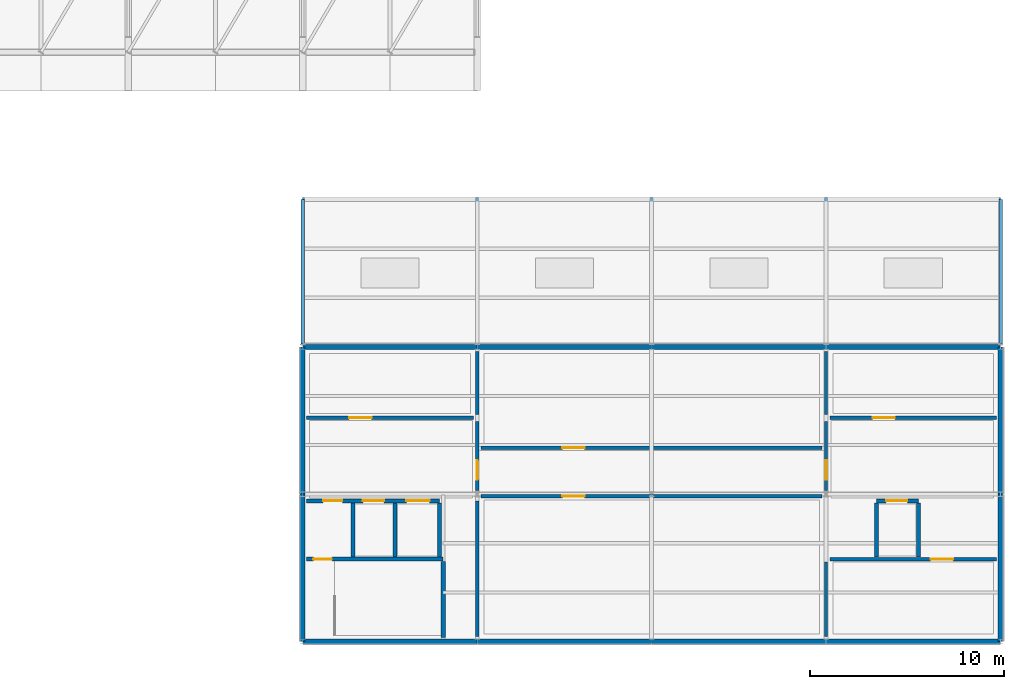
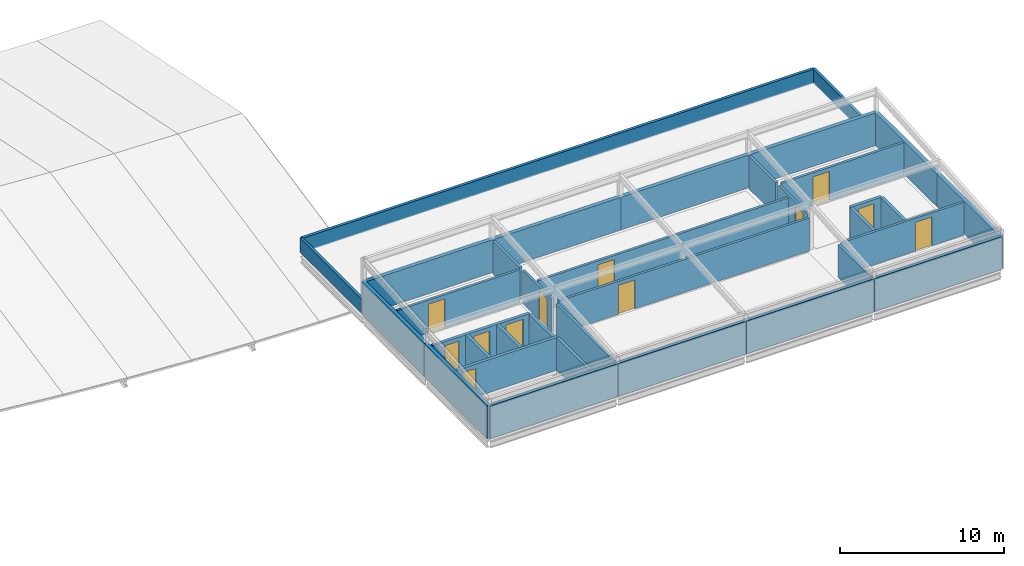
# One storey, part 20 of 21: 35 walls, 12 doors, 12 openings.
"""IFC4 building model written with IfcOpenShell, lengths in metres."""

from ifc_helpers import new_model, si_unit, direction, frame, frame_2d, origin, place, context, subcontext, project, spatial, rectangle, extrude, material, layer, layer_set, type_object, element, fill, save


model = new_model("IFC4")

# Units and contexts
model_context = context("Model", 3, precision=1e-05, world=origin(), true_north=direction((0.0, 1.0)))
body_context = subcontext(model_context, "Body", "Model", "MODEL_VIEW")
ifc_project = project(units=[si_unit("LENGTHUNIT", "METRE"), si_unit("AREAUNIT", "SQUARE_METRE"), si_unit("VOLUMEUNIT", "CUBIC_METRE"), si_unit("PLANEANGLEUNIT", "RADIAN"), si_unit("MASSUNIT", "GRAM", prefix="KILO")], contexts=[model_context])

# Site, building, storey
site_placement = place(None, origin())
site = spatial("IfcSite", under=ifc_project, at=site_placement, CompositionType="ELEMENT")
building_placement = place(site_placement, origin())
building = spatial("IfcBuilding", under=site, at=building_placement, Name="Caisbarro Railhouse Central Library", CompositionType="ELEMENT")
storey_placement = place(building_placement, frame((0.0, 0.0, 26.639892578125)))
storey = spatial("IfcBuildingStorey", under=building, at=storey_placement, Name="RF", CompositionType="ELEMENT", Elevation=26.639892578125)

# Walls
ifc_material_1 = material(Name="Concrete C35 insulated architectural precast", Category="concrete")
ifc_layer_1 = layer(ifc_material_1, 0.260009765625, Name="Concrete C35 insulated architectural precast")
ifc_layer_set_1 = layer_set([ifc_layer_1], Name="Concrete C35 insulated architectural precast")
wall_type_1 = type_object("IfcWallType", Name="WAL-EW26", PredefinedType="STANDARD", material=ifc_layer_set_1)
for number, where, z_axis, x_axis, name in (
    (1, (63.0, 0.0, 0.0), (0.0, 0.0, 1.0), (1.0, 0.0, 0.0), "EW26 exterior wall RF #262"),
    (2, (72.0, 0.0, 0.0), (0.0, 0.0, 1.0), (1.0, 0.0, 0.0), "EW26 exterior wall RF #263"),
    (3, (81.0, 0.0, 0.0), (0.0, 0.0, 1.0), (1.0, 0.0, 0.0), "EW26 exterior wall RF #264"),
    (4, (90.0, 0.0, 0.0), (0.0, 0.0, 1.0), (1.0, 0.0, 0.0), "EW26 exterior wall RF #265"),
):
    element("IfcWall", number, at=place(storey_placement, frame(where, z_axis=z_axis, x_axis=x_axis)), inside=storey, type_object=wall_type_1, Name=name, PredefinedType="STANDARD", context=body_context, shape_type="SweptSolid", body=[
        extrude(rectangle(XDim=9.0, YDim=0.260009765625, at=frame_2d((4.5, 0.0))), origin(), (0.0, 0.0, 1.0), 2.440185546875),
    ])
wall_1_placement = place(storey_placement, frame((99.0, 0.0, 0.0), z_axis=(0.0, 0.0, 1.0), x_axis=(0.0, 1.0, 0.0)))
element("IfcWall", 5, at=wall_1_placement, inside=storey, type_object=wall_type_1, Name="EW26 exterior wall RF #266", PredefinedType="STANDARD", context=body_context, shape_type="SweptSolid", body=[
    extrude(rectangle(XDim=7.60009765625, YDim=0.260009765625, at=frame_2d((3.800048828125, 0.0))), origin(), (0.0, 0.0, 1.0), 2.440185546875),
])
wall_2_placement = place(storey_placement, frame((99.0, 7.60009765625, 0.0), z_axis=(0.0, 0.0, 1.0), x_axis=(0.0, 1.0, 0.0)))
element("IfcWall", 6, at=wall_2_placement, inside=storey, type_object=wall_type_1, Name="EW26 exterior wall RF #267", PredefinedType="STANDARD", context=body_context, shape_type="SweptSolid", body=[
    extrude(rectangle(XDim=7.599853515625, YDim=0.260009765625, at=frame_2d((3.7998046875, 0.0))), origin(), (0.0, 0.0, 1.0), 2.440185546875),
])
for number, where, z_axis, x_axis, name in (
    (7, (99.0, 15.199951171875, 0.0), (0.0, 0.0, 1.0), (-1.0, 0.0, 0.0), "EW26 exterior wall RF #268"),
    (8, (90.0, 15.199951171875, 0.0), (0.0, 0.0, 1.0), (-1.0, 0.0, 0.0), "EW26 exterior wall RF #269"),
    (9, (81.0, 15.199951171875, 0.0), (0.0, 0.0, 1.0), (-1.0, 0.0, 0.0), "EW26 exterior wall RF #270"),
    (10, (72.0, 15.199951171875, 0.0), (0.0, 0.0, 1.0), (-1.0, 0.0, 0.0), "EW26 exterior wall RF #271"),
):
    element("IfcWall", number, at=place(storey_placement, frame(where, z_axis=z_axis, x_axis=x_axis)), inside=storey, type_object=wall_type_1, Name=name, PredefinedType="STANDARD", context=body_context, shape_type="SweptSolid", body=[
        extrude(rectangle(XDim=9.0, YDim=0.260009765625, at=frame_2d((4.5, 0.0))), origin(), (0.0, 0.0, 1.0), 2.440185546875),
    ])
wall_3_placement = place(storey_placement, frame((63.0, 15.199951171875, 0.0), z_axis=(0.0, 0.0, 1.0), x_axis=(0.0, -1.0, 0.0)))
element("IfcWall", 11, at=wall_3_placement, inside=storey, type_object=wall_type_1, Name="EW26 exterior wall RF #272", PredefinedType="STANDARD", context=body_context, shape_type="SweptSolid", body=[
    extrude(rectangle(XDim=7.599853515625, YDim=0.260009765625, at=frame_2d((3.7998046875, 0.0))), origin(), (0.0, 0.0, 1.0), 2.440185546875),
])
wall_4_placement = place(storey_placement, frame((63.0, 7.60009765625, 0.0), z_axis=(0.0, 0.0, 1.0), x_axis=(0.0, -1.0, 0.0)))
element("IfcWall", 12, at=wall_4_placement, inside=storey, type_object=wall_type_1, Name="EW26 exterior wall RF #273", PredefinedType="STANDARD", context=body_context, shape_type="SweptSolid", body=[
    extrude(rectangle(XDim=7.60009765625, YDim=0.260009765625, at=frame_2d((3.800048828125, 0.0))), origin(), (0.0, 0.0, 1.0), 2.440185546875),
])

# Wall, opening, door
ifc_material_2 = material(Name="Plastered cellular concrete masonry", Category="masonry")
ifc_layer_2 = layer(ifc_material_2, 0.169921875, Name="Plastered cellular concrete masonry")
ifc_layer_set_2 = layer_set([ifc_layer_2], Name="Plastered cellular concrete masonry")
wall_type_2 = type_object("IfcWallType", Name="WAL-IW17", PredefinedType="PARTITIONING", material=ifc_layer_set_2)
wall_5_placement = place(storey_placement, frame((63.199951171875, 11.550048828125, 0.0), z_axis=(0.0, 0.0, 1.0), x_axis=(1.0, 0.0, 0.0)))
wall_5 = element("IfcWall", 13, at=wall_5_placement, inside=storey, type_object=wall_type_2, Name="IW17 partition wall RF #177", PredefinedType="PARTITIONING", context=body_context, shape_type="SweptSolid", body=[
    extrude(rectangle(XDim=8.60009765625, YDim=0.169921875, at=frame_2d((4.300048828125, 0.0))), origin(), (0.0, 0.0, 1.0), 2.440185546875),
])
opening_1_placement = place(wall_5_placement, frame((2.199951171875, 0.0, 0.0)))
opening_1 = element("IfcOpeningElement", 14, at=opening_1_placement, cuts=wall_5, Name="Opening FD03", PredefinedType="OPENING", context=body_context, shape_type="SweptSolid", body=[
    extrude(rectangle(XDim=1.14990234375, YDim=2.14990234375, at=frame_2d((0.574951171875, 1.074951171875))), frame((0.0, 0.094970703125, 0.0), z_axis=(0.0, -1.0, 0.0), x_axis=(1.0, 0.0, 0.0)), (0.0, 0.0, 1.0), 0.18994140625),
])
ifc_material_3 = material(Name="Fire-rated painted galvanised steel", Category="steel")
door_type_1 = type_object("IfcDoorType", Name="DR-FD03", OperationType="NOTDEFINED", PredefinedType="DOOR", material=ifc_material_3)
door_1_placement = place(opening_1_placement, origin())
door_1 = element("IfcDoor", 15, at=door_1_placement, inside=storey, type_object=door_type_1, Name="Roof Maintenance Headhouse Door FD03 RF-151", OperationType="SINGLE_SWING_RIGHT", OverallHeight=2.14990234375, OverallWidth=1.14990234375, PredefinedType="DOOR", context=body_context, shape_type="SweptSolid", body=[
    extrude(rectangle(XDim=1.14990234375, YDim=2.14990234375, at=frame_2d((0.574951171875, 1.074951171875))), frame((0.0, 0.02490234375, 0.0), z_axis=(0.0, -1.0, 0.0), x_axis=(1.0, 0.0, 0.0)), (0.0, 0.0, 1.0), 0.050048828125),
])
fill(opening_1, door_1)

wall_6_placement = place(storey_placement, frame((90.199951171875, 4.25, 0.0), z_axis=(0.0, 0.0, 1.0), x_axis=(1.0, 0.0, 0.0)))
wall_6 = element("IfcWall", 16, at=wall_6_placement, inside=storey, type_object=wall_type_2, Name="IW17 partition wall RF #178", PredefinedType="PARTITIONING", context=body_context, shape_type="SweptSolid", body=[
    extrude(rectangle(XDim=8.60009765625, YDim=0.169921875, at=frame_2d((4.300048828125, 0.0))), origin(), (0.0, 0.0, 1.0), 2.440185546875),
])
opening_2_placement = place(wall_6_placement, frame((5.199951171875, 0.0, 0.0)))
opening_2 = element("IfcOpeningElement", 17, at=opening_2_placement, cuts=wall_6, Name="Opening FD03", PredefinedType="OPENING", context=body_context, shape_type="SweptSolid", body=[
    extrude(rectangle(XDim=1.14990234375, YDim=2.14990234375, at=frame_2d((0.574951171875, 1.074951171875))), frame((0.0, 0.094970703125, 0.0), z_axis=(0.0, -1.0, 0.0), x_axis=(1.0, 0.0, 0.0)), (0.0, 0.0, 1.0), 0.18994140625),
])
door_2_placement = place(opening_2_placement, origin())
door_2 = element("IfcDoor", 18, at=door_2_placement, inside=storey, type_object=door_type_1, Name="Environmental Sensor Calibration Office Door FD03 RF-152", OperationType="SINGLE_SWING_LEFT", OverallHeight=2.14990234375, OverallWidth=1.14990234375, PredefinedType="DOOR", context=body_context, shape_type="SweptSolid", body=[
    extrude(rectangle(XDim=1.14990234375, YDim=2.14990234375, at=frame_2d((0.574951171875, 1.074951171875))), frame((0.0, 0.02490234375, 0.0), z_axis=(0.0, -1.0, 0.0), x_axis=(1.0, 0.0, 0.0)), (0.0, 0.0, 1.0), 0.050048828125),
])
fill(opening_2, door_2)

wall_7_placement = place(storey_placement, frame((90.199951171875, 11.550048828125, 0.0), z_axis=(0.0, 0.0, 1.0), x_axis=(1.0, 0.0, 0.0)))
wall_7 = element("IfcWall", 19, at=wall_7_placement, inside=storey, type_object=wall_type_2, Name="IW17 partition wall RF #182", PredefinedType="PARTITIONING", context=body_context, shape_type="SweptSolid", body=[
    extrude(rectangle(XDim=8.60009765625, YDim=0.169921875, at=frame_2d((4.300048828125, 0.0))), origin(), (0.0, 0.0, 1.0), 2.440185546875),
])
opening_3_placement = place(wall_7_placement, frame((2.199951171875, 0.0, 0.0)))
opening_3 = element("IfcOpeningElement", 20, at=opening_3_placement, cuts=wall_7, Name="Opening FD03", PredefinedType="OPENING", context=body_context, shape_type="SweptSolid", body=[
    extrude(rectangle(XDim=1.14990234375, YDim=2.14990234375, at=frame_2d((0.574951171875, 1.074951171875))), frame((0.0, 0.094970703125, 0.0), z_axis=(0.0, -1.0, 0.0), x_axis=(1.0, 0.0, 0.0)), (0.0, 0.0, 1.0), 0.18994140625),
])
door_3_placement = place(opening_3_placement, origin())
door_3 = element("IfcDoor", 21, at=door_3_placement, inside=storey, type_object=door_type_1, Name="Conservation Rare-Prints Dry Studio Door FD03 RF-154", OperationType="SINGLE_SWING_RIGHT", OverallHeight=2.14990234375, OverallWidth=1.14990234375, PredefinedType="DOOR", context=body_context, shape_type="SweptSolid", body=[
    extrude(rectangle(XDim=1.14990234375, YDim=2.14990234375, at=frame_2d((0.574951171875, 1.074951171875))), frame((0.0, 0.02490234375, 0.0), z_axis=(0.0, -1.0, 0.0), x_axis=(1.0, 0.0, 0.0)), (0.0, 0.0, 1.0), 0.050048828125),
])
fill(opening_3, door_3)

# Wall
wall_8_placement = place(storey_placement, frame((72.0, 0.25, 0.0), z_axis=(0.0, 0.0, 1.0), x_axis=(0.0, 1.0, 0.0)))
element("IfcWall", 22, at=wall_8_placement, inside=storey, type_object=wall_type_2, Name="IW17 partition wall RF #183", PredefinedType="PARTITIONING", context=body_context, shape_type="SweptSolid", body=[
    extrude(rectangle(XDim=7.0, YDim=0.169921875, at=frame_2d((3.5, 0.0))), origin(), (0.0, 0.0, 1.0), 2.440185546875),
])

# Wall, opening, door
wall_9_placement = place(storey_placement, frame((72.0, 7.800048828125, 0.0), z_axis=(0.0, 0.0, 1.0), x_axis=(0.0, 1.0, 0.0)))
wall_9 = element("IfcWall", 23, at=wall_9_placement, inside=storey, type_object=wall_type_2, Name="IW17 partition wall RF #184", PredefinedType="PARTITIONING", context=body_context, shape_type="SweptSolid", body=[
    extrude(rectangle(XDim=3.550048828125, YDim=0.169921875, at=frame_2d((1.77490234375, 0.0))), origin(), (0.0, 0.0, 1.0), 2.440185546875),
])
opening_4_placement = place(wall_9_placement, frame((0.550048828125, 0.0, 0.0)))
opening_4 = element("IfcOpeningElement", 24, at=opening_4_placement, cuts=wall_9, Name="Opening FD05", PredefinedType="OPENING", context=body_context, shape_type="SweptSolid", body=[
    extrude(rectangle(XDim=1.0, YDim=2.14990234375, at=frame_2d((0.5, 1.074951171875))), frame((0.0, 0.094970703125, 0.0), z_axis=(0.0, -1.0, 0.0), x_axis=(1.0, 0.0, 0.0)), (0.0, 0.0, 1.0), 0.18994140625),
])
door_type_2 = type_object("IfcDoorType", Name="DR-FD05", OperationType="NOTDEFINED", PredefinedType="DOOR", material=ifc_material_3)
door_4_placement = place(opening_4_placement, origin())
door_4 = element("IfcDoor", 25, at=door_4_placement, inside=storey, type_object=door_type_2, Name="Headhouse Spine West Door FD05 RF-155", OperationType="SINGLE_SWING_LEFT", OverallHeight=2.14990234375, OverallWidth=1.0, PredefinedType="DOOR", context=body_context, shape_type="SweptSolid", body=[
    extrude(rectangle(XDim=1.0, YDim=2.14990234375, at=frame_2d((0.5, 1.074951171875))), frame((0.0, 0.02490234375, 0.0), z_axis=(0.0, -1.0, 0.0), x_axis=(1.0, 0.0, 0.0)), (0.0, 0.0, 1.0), 0.050048828125),
])
fill(opening_4, door_4)

# Walls
wall_10_placement = place(storey_placement, frame((72.0, 11.699951171875, 0.0), z_axis=(0.0, 0.0, 1.0), x_axis=(0.0, 1.0, 0.0)))
element("IfcWall", 26, at=wall_10_placement, inside=storey, type_object=wall_type_2, Name="IW17 partition wall RF #185", PredefinedType="PARTITIONING", context=body_context, shape_type="SweptSolid", body=[
    extrude(rectangle(XDim=3.25, YDim=0.169921875, at=frame_2d((1.625, 0.0))), origin(), (0.0, 0.0, 1.0), 2.440185546875),
])
wall_11_placement = place(storey_placement, frame((90.0, 0.25, 0.0), z_axis=(0.0, 0.0, 1.0), x_axis=(0.0, 1.0, 0.0)))
element("IfcWall", 27, at=wall_11_placement, inside=storey, type_object=wall_type_2, Name="IW17 partition wall RF #186", PredefinedType="PARTITIONING", context=body_context, shape_type="SweptSolid", body=[
    extrude(rectangle(XDim=3.85009765625, YDim=0.169921875, at=frame_2d((1.925048828125, 0.0))), origin(), (0.0, 0.0, 1.0), 2.440185546875),
])

# Wall, opening, door
wall_12_placement = place(storey_placement, frame((90.0, 7.800048828125, 0.0), z_axis=(0.0, 0.0, 1.0), x_axis=(0.0, 1.0, 0.0)))
wall_12 = element("IfcWall", 28, at=wall_12_placement, inside=storey, type_object=wall_type_2, Name="IW17 partition wall RF #187", PredefinedType="PARTITIONING", context=body_context, shape_type="SweptSolid", body=[
    extrude(rectangle(XDim=3.550048828125, YDim=0.169921875, at=frame_2d((1.77490234375, 0.0))), origin(), (0.0, 0.0, 1.0), 2.440185546875),
])
opening_5_placement = place(wall_12_placement, frame((0.550048828125, 0.0, 0.0)))
opening_5 = element("IfcOpeningElement", 29, at=opening_5_placement, cuts=wall_12, Name="Opening FD05", PredefinedType="OPENING", context=body_context, shape_type="SweptSolid", body=[
    extrude(rectangle(XDim=1.0, YDim=2.14990234375, at=frame_2d((0.5, 1.074951171875))), frame((0.0, 0.094970703125, 0.0), z_axis=(0.0, -1.0, 0.0), x_axis=(1.0, 0.0, 0.0)), (0.0, 0.0, 1.0), 0.18994140625),
])
door_5_placement = place(opening_5_placement, origin())
door_5 = element("IfcDoor", 30, at=door_5_placement, inside=storey, type_object=door_type_2, Name="Headhouse Spine East Door FD05 RF-156", OperationType="SINGLE_SWING_RIGHT", OverallHeight=2.14990234375, OverallWidth=1.0, PredefinedType="DOOR", context=body_context, shape_type="SweptSolid", body=[
    extrude(rectangle(XDim=1.0, YDim=2.14990234375, at=frame_2d((0.5, 1.074951171875))), frame((0.0, 0.02490234375, 0.0), z_axis=(0.0, -1.0, 0.0), x_axis=(1.0, 0.0, 0.0)), (0.0, 0.0, 1.0), 0.050048828125),
])
fill(opening_5, door_5)

# Wall
wall_13_placement = place(storey_placement, frame((90.0, 11.699951171875, 0.0), z_axis=(0.0, 0.0, 1.0), x_axis=(0.0, 1.0, 0.0)))
element("IfcWall", 31, at=wall_13_placement, inside=storey, type_object=wall_type_2, Name="IW17 partition wall RF #188", PredefinedType="PARTITIONING", context=body_context, shape_type="SweptSolid", body=[
    extrude(rectangle(XDim=3.25, YDim=0.169921875, at=frame_2d((1.625, 0.0))), origin(), (0.0, 0.0, 1.0), 2.440185546875),
])

# Wall, opening, door
wall_14_placement = place(storey_placement, frame((72.199951171875, 7.5, 0.0), z_axis=(0.0, 0.0, 1.0), x_axis=(1.0, 0.0, 0.0)))
wall_14 = element("IfcWall", 32, at=wall_14_placement, inside=storey, type_object=wall_type_2, Name="IW17 partition wall RF #189", PredefinedType="PARTITIONING", context=body_context, shape_type="SweptSolid", body=[
    extrude(rectangle(XDim=17.60009765625, YDim=0.169921875, at=frame_2d((8.800048828125, 0.0))), origin(), (0.0, 0.0, 1.0), 2.440185546875),
])
opening_6_placement = place(wall_14_placement, frame((4.199951171875, 0.0, 0.0)))
opening_6 = element("IfcOpeningElement", 33, at=opening_6_placement, cuts=wall_14, Name="Opening FD03", PredefinedType="OPENING", context=body_context, shape_type="SweptSolid", body=[
    extrude(rectangle(XDim=1.14990234375, YDim=2.14990234375, at=frame_2d((0.574951171875, 1.074951171875))), frame((0.0, 0.094970703125, 0.0), z_axis=(0.0, -1.0, 0.0), x_axis=(1.0, 0.0, 0.0)), (0.0, 0.0, 1.0), 0.18994140625),
])
door_6_placement = place(opening_6_placement, origin())
door_6 = element("IfcDoor", 34, at=door_6_placement, inside=storey, type_object=door_type_1, Name="Archive Climate Monitoring Laboratory Door FD03 RF-157", OperationType="SINGLE_SWING_LEFT", OverallHeight=2.14990234375, OverallWidth=1.14990234375, PredefinedType="DOOR", context=body_context, shape_type="SweptSolid", body=[
    extrude(rectangle(XDim=1.14990234375, YDim=2.14990234375, at=frame_2d((0.574951171875, 1.074951171875))), frame((0.0, 0.02490234375, 0.0), z_axis=(0.0, -1.0, 0.0), x_axis=(1.0, 0.0, 0.0)), (0.0, 0.0, 1.0), 0.050048828125),
])
fill(opening_6, door_6)

wall_15_placement = place(storey_placement, frame((72.199951171875, 10.0, 0.0), z_axis=(0.0, 0.0, 1.0), x_axis=(1.0, 0.0, 0.0)))
wall_15 = element("IfcWall", 35, at=wall_15_placement, inside=storey, type_object=wall_type_2, Name="IW17 partition wall RF #190", PredefinedType="PARTITIONING", context=body_context, shape_type="SweptSolid", body=[
    extrude(rectangle(XDim=17.60009765625, YDim=0.169921875, at=frame_2d((8.800048828125, 0.0))), origin(), (0.0, 0.0, 1.0), 2.440185546875),
])
opening_7_placement = place(wall_15_placement, frame((4.199951171875, 0.0, 0.0)))
opening_7 = element("IfcOpeningElement", 36, at=opening_7_placement, cuts=wall_15, Name="Opening FD03", PredefinedType="OPENING", context=body_context, shape_type="SweptSolid", body=[
    extrude(rectangle(XDim=1.14990234375, YDim=2.14990234375, at=frame_2d((0.574951171875, 1.074951171875))), frame((0.0, 0.094970703125, 0.0), z_axis=(0.0, -1.0, 0.0), x_axis=(1.0, 0.0, 0.0)), (0.0, 0.0, 1.0), 0.18994140625),
])
door_7_placement = place(opening_7_placement, origin())
door_7 = element("IfcDoor", 37, at=door_7_placement, inside=storey, type_object=door_type_1, Name="Solar Telemetry Workshop Door FD03 RF-158", OperationType="SINGLE_SWING_RIGHT", OverallHeight=2.14990234375, OverallWidth=1.14990234375, PredefinedType="DOOR", context=body_context, shape_type="SweptSolid", body=[
    extrude(rectangle(XDim=1.14990234375, YDim=2.14990234375, at=frame_2d((0.574951171875, 1.074951171875))), frame((0.0, 0.02490234375, 0.0), z_axis=(0.0, -1.0, 0.0), x_axis=(1.0, 0.0, 0.0)), (0.0, 0.0, 1.0), 0.050048828125),
])
fill(opening_7, door_7)

ifc_material_4 = material(Name="Concrete C40", Category="concrete")
ifc_layer_3 = layer(ifc_material_4, 0.2099609375, Name="Concrete C40")
ifc_layer_set_3 = layer_set([ifc_layer_3], Name="Concrete C40")
wall_type_3 = type_object("IfcWallType", Name="WAL-SW21", PredefinedType="SOLIDWALL", material=ifc_layer_set_3)
wall_16_placement = place(storey_placement, frame((63.199951171875, 4.25, 0.0), z_axis=(0.0, 0.0, 1.0), x_axis=(1.0, 0.0, 0.0)))
wall_16 = element("IfcWall", 38, at=wall_16_placement, inside=storey, type_object=wall_type_3, Name="SW21 core shaft wall RF #171", PredefinedType="SOLIDWALL", context=body_context, shape_type="SweptSolid", body=[
    extrude(rectangle(XDim=7.050048828125, YDim=0.2099609375, at=frame_2d((3.52490234375, 0.0))), origin(), (0.0, 0.0, 1.0), 2.440185546875),
])
opening_8_placement = place(wall_16_placement, frame((0.35009765625, 0.0, 0.0)))
opening_8 = element("IfcOpeningElement", 39, at=opening_8_placement, cuts=wall_16, Name="Opening FD01", PredefinedType="OPENING", context=body_context, shape_type="SweptSolid", body=[
    extrude(rectangle(XDim=0.949951171875, YDim=2.1201171875, at=frame_2d((0.47509765625, 1.06005859375))), frame((0.0, 0.114990234375, 0.0), z_axis=(0.0, -1.0, 0.0), x_axis=(1.0, 0.0, 0.0)), (0.0, 0.0, 1.0), 0.22998046875),
])
door_type_3 = type_object("IfcDoorType", Name="DR-FD01", OperationType="NOTDEFINED", PredefinedType="DOOR", material=ifc_material_3)
door_8_placement = place(opening_8_placement, origin())
door_8 = element("IfcDoor", 40, at=door_8_placement, inside=storey, type_object=door_type_3, Name="Stair ST-01 RF Fire Door FD01 RF-147", OperationType="SINGLE_SWING_RIGHT", OverallHeight=2.1201171875, OverallWidth=0.949951171875, PredefinedType="DOOR", context=body_context, shape_type="SweptSolid", body=[
    extrude(rectangle(XDim=0.949951171875, YDim=2.1201171875, at=frame_2d((0.47509765625, 1.06005859375))), frame((0.0, 0.02490234375, 0.0), z_axis=(0.0, -1.0, 0.0), x_axis=(1.0, 0.0, 0.0)), (0.0, 0.0, 1.0), 0.050048828125),
])
fill(opening_8, door_8)

# Walls
wall_17_placement = place(storey_placement, frame((70.25, 0.199951171875, 0.0), z_axis=(0.0, 0.0, 1.0), x_axis=(0.0, 1.0, 0.0)))
element("IfcWall", 41, at=wall_17_placement, inside=storey, type_object=wall_type_3, Name="SW21 core shaft wall RF #172", PredefinedType="SOLIDWALL", context=body_context, shape_type="SweptSolid", body=[
    extrude(rectangle(XDim=3.93994140625, YDim=0.2099609375, at=frame_2d((1.969970703125, 0.0))), origin(), (0.0, 0.0, 1.0), 2.440185546875),
])
for number, where, z_axis, x_axis, name in (
    (42, (65.60009765625, 4.360107421875, 0.0), (0.0, 0.0, 1.0), (0.0, 1.0, 0.0), "SW21 core shaft wall RF #173"),
    (43, (67.77001953125, 4.360107421875, 0.0), (0.0, 0.0, 1.0), (0.0, 1.0, 0.0), "SW21 core shaft wall RF #174"),
    (44, (70.050048828125, 4.360107421875, 0.0), (0.0, 0.0, 1.0), (0.0, 1.0, 0.0), "SW21 core shaft wall RF #175"),
):
    element("IfcWall", number, at=place(storey_placement, frame(where, z_axis=z_axis, x_axis=x_axis)), inside=storey, type_object=wall_type_3, Name=name, PredefinedType="SOLIDWALL", context=body_context, shape_type="SweptSolid", body=[
        extrude(rectangle(XDim=2.77978515625, YDim=0.2099609375, at=frame_2d((1.389892578125, 0.0))), origin(), (0.0, 0.0, 1.0), 2.440185546875),
    ])

# Wall, openings, doors
wall_18_placement = place(storey_placement, frame((63.199951171875, 7.25, 0.0), z_axis=(0.0, 0.0, 1.0), x_axis=(1.0, 0.0, 0.0)))
wall_18 = element("IfcWall", 45, at=wall_18_placement, inside=storey, type_object=wall_type_3, Name="SW21 core shaft wall RF #176", PredefinedType="SOLIDWALL", context=body_context, shape_type="SweptSolid", body=[
    extrude(rectangle(XDim=6.85009765625, YDim=0.2099609375, at=frame_2d((3.425048828125, 0.0))), origin(), (0.0, 0.0, 1.0), 2.440185546875),
])
opening_9_placement = place(wall_18_placement, frame((0.85009765625, 0.0, 0.0)))
opening_9 = element("IfcOpeningElement", 46, at=opening_9_placement, cuts=wall_18, Name="Opening FD05", PredefinedType="OPENING", context=body_context, shape_type="SweptSolid", body=[
    extrude(rectangle(XDim=1.0, YDim=2.14990234375, at=frame_2d((0.5, 1.074951171875))), frame((0.0, 0.114990234375, 0.0), z_axis=(0.0, -1.0, 0.0), x_axis=(1.0, 0.0, 0.0)), (0.0, 0.0, 1.0), 0.22998046875),
])
opening_10_placement = place(wall_18_placement, frame((2.89990234375, 0.0, 0.0)))
opening_10 = element("IfcOpeningElement", 47, at=opening_10_placement, cuts=wall_18, Name="Opening LD01", PredefinedType="OPENING", context=body_context, shape_type="SweptSolid", body=[
    extrude(rectangle(XDim=1.10009765625, YDim=2.139892578125, at=frame_2d((0.550048828125, 1.06982421875))), frame((0.0, 0.114990234375, 0.0), z_axis=(0.0, -1.0, 0.0), x_axis=(1.0, 0.0, 0.0)), (0.0, 0.0, 1.0), 0.22998046875),
])
opening_11_placement = place(wall_18_placement, frame((5.14990234375, 0.0, 0.0)))
opening_11 = element("IfcOpeningElement", 48, at=opening_11_placement, cuts=wall_18, Name="Opening LD03", PredefinedType="OPENING", context=body_context, shape_type="SweptSolid", body=[
    extrude(rectangle(XDim=1.199951171875, YDim=2.179931640625, at=frame_2d((0.60009765625, 1.08984375))), frame((0.0, 0.114990234375, 0.0), z_axis=(0.0, -1.0, 0.0), x_axis=(1.0, 0.0, 0.0)), (0.0, 0.0, 1.0), 0.22998046875),
])
door_9_placement = place(opening_9_placement, origin())
door_9 = element("IfcDoor", 49, at=door_9_placement, inside=storey, type_object=door_type_2, Name="Core K1 RF Vestibule Door FD05 RF-148", OperationType="SINGLE_SWING_LEFT", OverallHeight=2.14990234375, OverallWidth=1.0, PredefinedType="DOOR", context=body_context, shape_type="SweptSolid", body=[
    extrude(rectangle(XDim=1.0, YDim=2.14990234375, at=frame_2d((0.5, 1.074951171875))), frame((0.0, 0.02490234375, 0.0), z_axis=(0.0, -1.0, 0.0), x_axis=(1.0, 0.0, 0.0)), (0.0, 0.0, 1.0), 0.050048828125),
])
fill(opening_9, door_9)
ifc_material_5 = material(Name="Brushed stainless steel elevator cab", Category="steel")
door_type_4 = type_object("IfcDoorType", Name="DR-LD01", OperationType="NOTDEFINED", PredefinedType="DOOR", material=ifc_material_5)
door_10_placement = place(opening_10_placement, origin())
door_10 = element("IfcDoor", 50, at=door_10_placement, inside=storey, type_object=door_type_4, Name="Lift FL-01 Landing Door LD01 RF-149", OperationType="SLIDING_TO_LEFT", OverallHeight=2.139892578125, OverallWidth=1.10009765625, PredefinedType="DOOR", context=body_context, shape_type="SweptSolid", body=[
    extrude(rectangle(XDim=1.10009765625, YDim=2.139892578125, at=frame_2d((0.550048828125, 1.06982421875))), frame((0.0, 0.02490234375, 0.0), z_axis=(0.0, -1.0, 0.0), x_axis=(1.0, 0.0, 0.0)), (0.0, 0.0, 1.0), 0.050048828125),
])
fill(opening_10, door_10)
door_type_5 = type_object("IfcDoorType", Name="DR-LD03", OperationType="NOTDEFINED", PredefinedType="DOOR", material=ifc_material_5)
door_11_placement = place(opening_11_placement, origin())
door_11 = element("IfcDoor", 51, at=door_11_placement, inside=storey, type_object=door_type_5, Name="Lift BL-01 Landing Door LD03 RF-150", OperationType="SLIDING_TO_LEFT", OverallHeight=2.179931640625, OverallWidth=1.199951171875, PredefinedType="DOOR", context=body_context, shape_type="SweptSolid", body=[
    extrude(rectangle(XDim=1.199951171875, YDim=2.179931640625, at=frame_2d((0.60009765625, 1.08984375))), frame((0.0, 0.02490234375, 0.0), z_axis=(0.0, -1.0, 0.0), x_axis=(1.0, 0.0, 0.0)), (0.0, 0.0, 1.0), 0.050048828125),
])
fill(opening_11, door_11)

# Walls
for number, where, z_axis, x_axis, name in (
    (52, (92.60009765625, 4.360107421875, 0.0), (0.0, 0.0, 1.0), (0.0, 1.0, 0.0), "SW21 core shaft wall RF #179"),
    (53, (94.77001953125, 4.360107421875, 0.0), (0.0, 0.0, 1.0), (0.0, 1.0, 0.0), "SW21 core shaft wall RF #180"),
):
    element("IfcWall", number, at=place(storey_placement, frame(where, z_axis=z_axis, x_axis=x_axis)), inside=storey, type_object=wall_type_3, Name=name, PredefinedType="SOLIDWALL", context=body_context, shape_type="SweptSolid", body=[
        extrude(rectangle(XDim=2.77978515625, YDim=0.2099609375, at=frame_2d((1.389892578125, 0.0))), origin(), (0.0, 0.0, 1.0), 2.440185546875),
    ])

# Wall, opening, door
wall_19_placement = place(storey_placement, frame((92.60009765625, 7.25, 0.0), z_axis=(0.0, 0.0, 1.0), x_axis=(1.0, 0.0, 0.0)))
wall_19 = element("IfcWall", 54, at=wall_19_placement, inside=storey, type_object=wall_type_3, Name="SW21 core shaft wall RF #181", PredefinedType="SOLIDWALL", context=body_context, shape_type="SweptSolid", body=[
    extrude(rectangle(XDim=2.169921875, YDim=0.2099609375, at=frame_2d((1.0849609375, 0.0))), origin(), (0.0, 0.0, 1.0), 2.440185546875),
])
opening_12_placement = place(wall_19_placement, frame((0.5, 0.0, 0.0)))
opening_12 = element("IfcOpeningElement", 55, at=opening_12_placement, cuts=wall_19, Name="Opening LD01", PredefinedType="OPENING", context=body_context, shape_type="SweptSolid", body=[
    extrude(rectangle(XDim=1.10009765625, YDim=2.139892578125, at=frame_2d((0.550048828125, 1.06982421875))), frame((0.0, 0.114990234375, 0.0), z_axis=(0.0, -1.0, 0.0), x_axis=(1.0, 0.0, 0.0)), (0.0, 0.0, 1.0), 0.22998046875),
])
door_12_placement = place(opening_12_placement, origin())
door_12 = element("IfcDoor", 56, at=door_12_placement, inside=storey, type_object=door_type_4, Name="Lift FL-02 Landing Door LD01 RF-153", OperationType="SLIDING_TO_LEFT", OverallHeight=2.139892578125, OverallWidth=1.10009765625, PredefinedType="DOOR", context=body_context, shape_type="SweptSolid", body=[
    extrude(rectangle(XDim=1.10009765625, YDim=2.139892578125, at=frame_2d((0.550048828125, 1.06982421875))), frame((0.0, 0.02490234375, 0.0), z_axis=(0.0, -1.0, 0.0), x_axis=(1.0, 0.0, 0.0)), (0.0, 0.0, 1.0), 0.050048828125),
])
fill(opening_12, door_12)

# Walls
ifc_material_6 = material(Name="Concrete C35", Category="concrete")
ifc_layer_4 = layer(ifc_material_6, 0.179931640625, Name="Concrete C35")
ifc_layer_set_4 = layer_set([ifc_layer_4], Name="Concrete C35")
wall_type_4 = type_object("IfcWallType", Name="WAL-WP18", PredefinedType="PARAPET", material=ifc_layer_set_4)
for number, where, z_axis, x_axis, name in (
    (57, (63.0, 15.35009765625, 0.0), (0.0, 0.0, 1.0), (0.0, 1.0, 0.0), "WP18 roof parapet RF-9"),
    (58, (99.0, 22.800048828125, 0.0), (0.0, 0.0, 1.0), (0.0, -1.0, 0.0), "WP18 roof parapet RF-11"),
):
    element("IfcWall", number, at=place(storey_placement, frame(where, z_axis=z_axis, x_axis=x_axis)), inside=storey, type_object=wall_type_4, Name=name, PredefinedType="PARAPET", context=body_context, shape_type="SweptSolid", body=[
        extrude(rectangle(XDim=7.449951171875, YDim=0.179931640625, at=frame_2d((3.72509765625, 0.0))), origin(), (0.0, 0.0, 1.0), 1.050048828125),
    ])
ifc_layer_5 = layer(ifc_material_6, 0.199951171875, Name="Concrete C35")
ifc_layer_set_5 = layer_set([ifc_layer_5], Name="Concrete C35")
wall_type_5 = type_object("IfcWallType", Name="WAL-WP20", PredefinedType="PARAPET", material=ifc_layer_set_5)
wall_20_placement = place(storey_placement, frame((63.0, 22.800048828125, 0.0), z_axis=(0.0, 0.0, 1.0), x_axis=(1.0, 0.0, 0.0)))
element("IfcWall", 59, at=wall_20_placement, inside=storey, type_object=wall_type_5, Name="WP20 roof parapet RF-10", PredefinedType="PARAPET", context=body_context, shape_type="SweptSolid", body=[
    extrude(rectangle(XDim=36.0, YDim=0.199951171875, at=frame_2d((18.0, 0.0))), origin(), (0.0, 0.0, 1.0), 1.050048828125),
])

save(model, "model.ifc")
